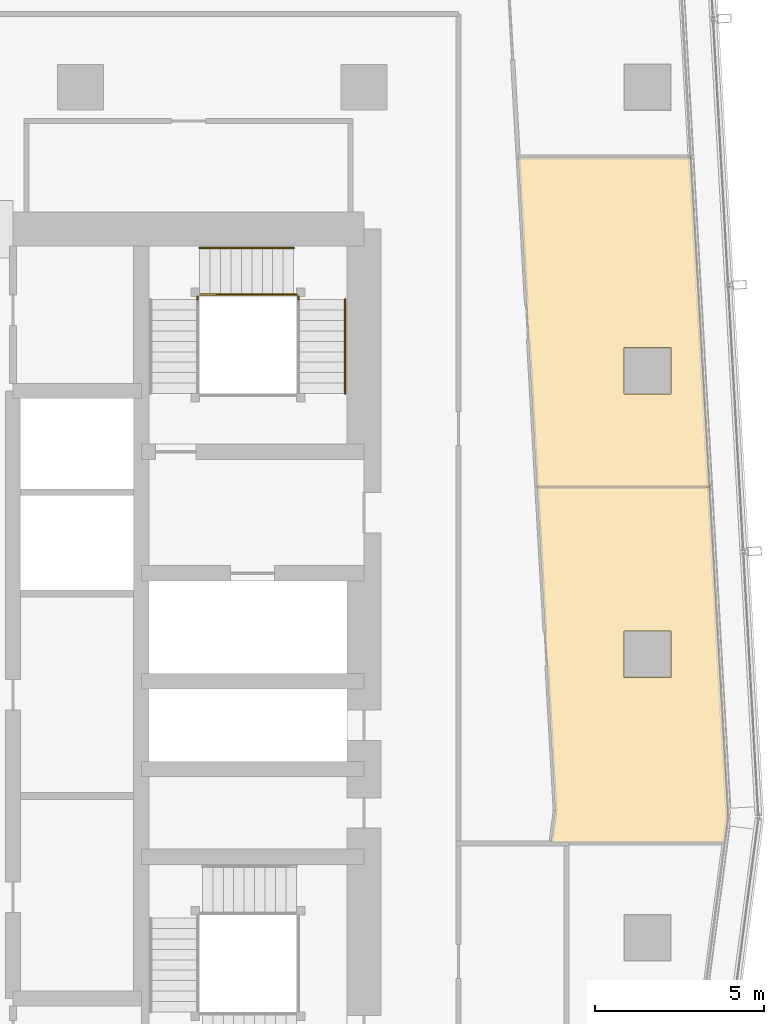
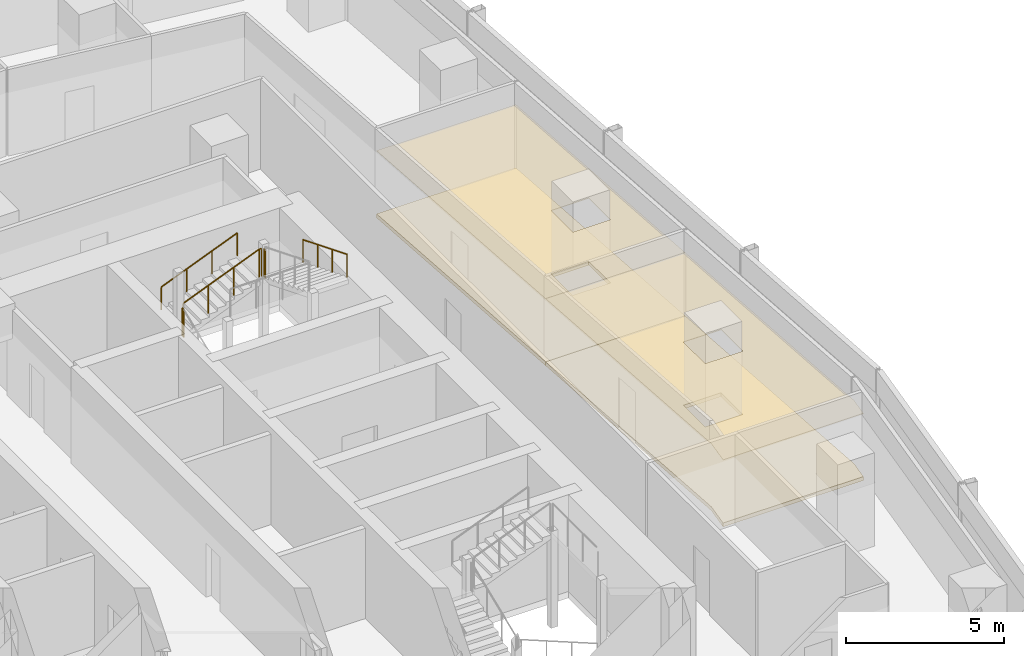
# One storey, part 37 of 38: 6 railings, 4 coverings.
"""IFC4 building model written with IfcOpenShell, lengths in metres."""

import ifcopenshell
import ifcopenshell.guid

model = None  # the IFC model being written
_history = None  # IfcOwnerHistory: only IFC2X3 demands one
_inside = {}  # id of a spatial element -> (the spatial element, [elements in it])
_under = {}  # id of a project, library or spatial element -> (it, [spatial elements below it])
_declared = {}  # id of a project -> (the project, [libraries it declares])
_typed = {}  # id of a type object -> (the type object, [elements of that type])
_made_of = {}  # id of a material, layer set ... -> (it, [elements and type objects made of it])


def new_model(schema):
    """Start an empty IFC model of exactly this schema.

    Asked for "IFC4X3", IfcOpenShell would pick the latest addendum, in which some entities
    have other attributes; the version numbers below select the first issue.
    IFC2X3 requires an IfcOwnerHistory on every rooted entity: one is made here for all.
    """
    global model, _history
    if schema == "IFC4X3":
        model = ifcopenshell.file(schema_version=(4, 3, 0, 0))
    else:
        model = ifcopenshell.file(schema=schema)
    _inside.clear()
    _under.clear()
    _declared.clear()
    _typed.clear()
    _made_of.clear()
    _history = None
    if model.schema == "IFC2X3":
        org = make("IfcOrganization", Name="unknown")
        user = make(
            "IfcPersonAndOrganization",
            ThePerson=make("IfcPerson", FamilyName="unknown"),
            TheOrganization=org,
        )
        app = make(
            "IfcApplication",
            ApplicationDeveloper=org,
            Version="unknown",
            ApplicationFullName="unknown",
            ApplicationIdentifier="unknown",
        )
        _history = make(
            "IfcOwnerHistory",
            OwningUser=user,
            OwningApplication=app,
            ChangeAction="ADDED",
            CreationDate=0,
        )
    return model


def make(cls, **values):
    """One entity of the class cls with the attributes given. An attribute that is None is left unset."""
    return model.create_entity(
        cls, **{name: value for name, value in values.items() if value is not None}
    )


def rooted(cls, **values):
    """An entity with a GlobalId (a new one), such as an element, a storey or a relation."""
    return make(cls, GlobalId=ifcopenshell.guid.new(), OwnerHistory=_history, **values)


def si_unit(unit_type, name, prefix=None):
    """IfcSIUnit, for example si_unit("LENGTHUNIT", "METRE", prefix="MILLI")."""
    return make("IfcSIUnit", UnitType=unit_type, Prefix=prefix, Name=name)


def assignment(units):
    """IfcUnitAssignment: the units of a project."""
    return None if units is None else make("IfcUnitAssignment", Units=units)


def point(xyz):
    """IfcCartesianPoint."""
    return None if xyz is None else make("IfcCartesianPoint", Coordinates=xyz)


def direction(xyz):
    """IfcDirection."""
    return None if xyz is None else make("IfcDirection", DirectionRatios=xyz)


def frame(location, z_axis=None, x_axis=None):
    """IfcAxis2Placement3D, a coordinate frame: its origin and axes. An axis left out is left unset."""
    return make(
        "IfcAxis2Placement3D",
        Location=point(location),
        Axis=direction(z_axis),
        RefDirection=direction(x_axis),
    )


def frame_2d(location, x_axis=None):
    """IfcAxis2Placement2D, a coordinate frame in the plane: its origin and x axis."""
    return make(
        "IfcAxis2Placement2D", Location=point(location), RefDirection=direction(x_axis)
    )


def origin():
    """The frame at (0, 0, 0) with its axes left unset."""
    return frame((0.0, 0.0, 0.0))


def origin_2d():
    """The frame at (0, 0) in the plane with its x axis left unset."""
    return frame_2d((0.0, 0.0))


def place(relative_to, where):
    """IfcLocalPlacement: puts the frame where relative to a parent placement (None: the world)."""
    return make(
        "IfcLocalPlacement", PlacementRelTo=relative_to, RelativePlacement=where
    )


def context(
    kind, dimensions, precision=None, world=None, true_north=None, identifier=None
):
    """IfcGeometricRepresentationContext, for example the 3D "Model" context."""
    return make(
        "IfcGeometricRepresentationContext",
        ContextIdentifier=identifier,
        ContextType=kind,
        CoordinateSpaceDimension=dimensions,
        Precision=precision,
        WorldCoordinateSystem=world,
        TrueNorth=true_north,
    )


def subcontext(parent, identifier, kind, view, scale=None):
    """IfcGeometricRepresentationSubContext, for example "Body" below "Model"."""
    return make(
        "IfcGeometricRepresentationSubContext",
        ContextIdentifier=identifier,
        ContextType=kind,
        ParentContext=parent,
        TargetScale=scale,
        TargetView=view,
    )


def project(units=None, contexts=None):
    """IfcProject with its units and contexts."""
    return rooted(
        "IfcProject",
        Name="project",
        RepresentationContexts=contexts,
        UnitsInContext=assignment(units),
    )


def spatial(cls, under=None, at=None, **own):
    """A site, building, storey or space (cls), placed at a placement, below another one or the project."""
    s = rooted(cls, ObjectPlacement=at, **own)
    if under is not None:
        _under.setdefault(under.id(), (under, []))[1].append(s)
    return s


def polyline(points):
    """IfcPolyline through the points."""
    return make("IfcPolyline", Points=[point(p) for p in points])


def profile(cls, at=None, kind="AREA", **sizes):
    """A parametric profile (cls). Its sizes go by their IFC names, for example OverallWidth=200.0."""
    return make(cls, ProfileType=kind, Position=at, **sizes)


def circle(**sizes):
    """IfcCircleProfileDef."""
    return profile("IfcCircleProfileDef", **sizes)


def outline(outer, holes=None, kind="AREA"):
    """IfcArbitraryClosedProfileDef: a profile drawn as a closed curve; with holes, ...WithVoids."""
    if holes is None:
        return make("IfcArbitraryClosedProfileDef", ProfileType=kind, OuterCurve=outer)
    return make(
        "IfcArbitraryProfileDefWithVoids",
        ProfileType=kind,
        OuterCurve=outer,
        InnerCurves=holes,
    )


def extrude(swept, where, along, depth):
    """IfcExtrudedAreaSolid: the profile swept, set in the frame where, extruded along a direction by depth."""
    return make(
        "IfcExtrudedAreaSolid",
        SweptArea=swept,
        Position=where,
        ExtrudedDirection=direction(along),
        Depth=depth,
    )


def shape(context_of_items, identifier, shape_type, items):
    """IfcShapeRepresentation: the items that make up one representation, for example the "Body"."""
    return make(
        "IfcShapeRepresentation",
        ContextOfItems=context_of_items,
        RepresentationIdentifier=identifier,
        RepresentationType=shape_type,
        Items=items,
    )


def material(Name=None, Category=None):
    """IfcMaterial."""
    return make("IfcMaterial", Name=Name, Category=Category)


def layer(
    of_material, thickness, ventilated=None, Name=None, Category=None, Priority=None
):
    """IfcMaterialLayer: one layer of a wall or slab, of a material (None: an air gap)."""
    return make(
        "IfcMaterialLayer",
        Material=of_material,
        LayerThickness=thickness,
        IsVentilated=ventilated,
        Name=Name,
        Category=Category,
        Priority=Priority,
    )


def layer_set(layers, Name=None):
    """IfcMaterialLayerSet."""
    return make("IfcMaterialLayerSet", MaterialLayers=layers, LayerSetName=Name)


def made_of(thing, what):
    """Note that an element or type object is made of a material, layer set ...; save() writes the relation."""
    if what is not None:
        _made_of.setdefault(what.id(), (what, []))[1].append(thing)
    return thing


def type_object(cls, material=None, **own):
    """A type object (cls), such as IfcWallType, which elements share."""
    return made_of(rooted(cls, **own), material)


def element(
    cls,
    number,
    at=None,
    inside=None,
    cuts=None,
    type_object=None,
    material=None,
    context=None,
    identifier="Body",
    shape_type=None,
    held_by="IfcProductDefinitionShape",
    body=None,
    shapes=None,
    **own,
):
    """One element of the class cls, such as IfcWall. Its Tag is "e" and its number.

    at: its placement. inside: the storey or other place that contains it. cuts: it is an
    opening in that element (IfcRelVoidsElement). A single representation is given by context,
    identifier, shape_type and body (its items); several are given by shapes. held_by: the class
    of the entity that holds the representations. save() writes the other relations.
    """
    e = rooted(cls, Tag="e%d" % number, ObjectPlacement=at, **own)
    if body is not None:
        shapes = [shape(context, identifier, shape_type, body)]
    if shapes is not None:
        e.Representation = make(held_by, Representations=shapes)
    if inside is not None:
        _inside.setdefault(inside.id(), (inside, []))[1].append(e)
    if cuts is not None:
        rooted(
            "IfcRelVoidsElement", RelatingBuildingElement=cuts, RelatedOpeningElement=e
        )
    if type_object is not None:
        _typed.setdefault(type_object.id(), (type_object, []))[1].append(e)
    return made_of(e, material)


def aggregate(whole, parts):
    """IfcRelAggregates: a whole, such as a stair, and the parts it consists of."""
    return rooted("IfcRelAggregates", RelatingObject=whole, RelatedObjects=parts)


def save(model, path):
    """Write the relations noted so far, then the file.

    IfcRelAggregates (storeys below a building ...), IfcRelContainedInSpatialStructure (elements
    in a storey), IfcRelDefinesByType, IfcRelAssociatesMaterial and IfcRelDeclares: one each for
    every whole, place, type object, material and project.
    """
    for whole, parts in _under.values():
        aggregate(whole, parts)
    for where, things in _inside.values():
        rooted(
            "IfcRelContainedInSpatialStructure",
            RelatedElements=things,
            RelatingStructure=where,
        )
    for kind, things in _typed.values():
        rooted("IfcRelDefinesByType", RelatedObjects=things, RelatingType=kind)
    for what, things in _made_of.values():
        rooted("IfcRelAssociatesMaterial", RelatedObjects=things, RelatingMaterial=what)
    for by, libraries in _declared.values():
        rooted("IfcRelDeclares", RelatingContext=by, RelatedDefinitions=libraries)
    model.write(path)


model = new_model("IFC4")

# Units and contexts
model_context = context("Model", 3, precision=1e-05, world=origin(), true_north=direction((0.0, 1.0)))
body_context = subcontext(model_context, "Body", "Model", "MODEL_VIEW")
ifc_project = project(units=[si_unit("LENGTHUNIT", "METRE"), si_unit("AREAUNIT", "SQUARE_METRE"), si_unit("VOLUMEUNIT", "CUBIC_METRE"), si_unit("PLANEANGLEUNIT", "RADIAN"), si_unit("MASSUNIT", "GRAM", prefix="KILO")], contexts=[model_context])

# Site, building, storey
site_placement = place(None, origin())
site = spatial("IfcSite", under=ifc_project, at=site_placement, CompositionType="ELEMENT")
building_placement = place(site_placement, origin())
building = spatial("IfcBuilding", under=site, at=building_placement, Name="Rekha Terrace Tower", CompositionType="ELEMENT")
storey_placement = place(building_placement, frame((0.0, 0.0, 195.199951171875)))
storey = spatial("IfcBuildingStorey", under=building, at=storey_placement, Name="L49", CompositionType="ELEMENT", Elevation=195.199951171875)

# Coverings
ifc_material_1 = material(Name="Mineral fibre tile in exposed grid", Category="finish")
ifc_layer_1 = layer(ifc_material_1, 0.02001953125)
ifc_layer_set_1 = layer_set([ifc_layer_1], Name="Mineral fibre tile in exposed grid")
covering_type_1 = type_object("IfcCoveringType", Name="CL1 600x1200 office grid ceiling", PredefinedType="CEILING", material=ifc_layer_set_1)
covering_1_placement = place(storey_placement, frame((0.0, 0.0, 2.580078125)))
element("IfcCovering", 1, at=covering_1_placement, inside=storey, type_object=covering_type_1, Name="Ceiling L49-05", PredefinedType="CEILING", context=body_context, shape_type="SweptSolid", body=[
    extrude(outline(polyline([(55.52294921875, 38.554931640625), (56.06689453125, 28.971923828125), (55.93994140625, 28.013916015625), (61.083984375, 28.013916015625), (61.18603515625, 28.780029296875), (60.631103515625, 38.554931640625), (55.52294921875, 38.554931640625)]), holes=[polyline([(59.489990234375, 34.2900390625), (59.489990234375, 32.909912109375), (58.110107421875, 32.909912109375), (58.110107421875, 34.2900390625), (59.489990234375, 34.2900390625)])]), origin(), (0.0, 0.0, 1.0), 0.02001953125),
])
covering_2_placement = place(storey_placement, frame((0.0, 0.0, 2.580078125)))
element("IfcCovering", 2, at=covering_2_placement, inside=storey, type_object=covering_type_1, Name="Ceiling L49-06", PredefinedType="CEILING", context=body_context, shape_type="SweptSolid", body=[
    extrude(outline(polyline([(55.52294921875, 38.555908203125), (60.631103515625, 38.555908203125), (60.075927734375, 48.3310546875), (54.968017578125, 48.3310546875), (55.52294921875, 38.555908203125)]), holes=[polyline([(59.489990234375, 41.31005859375), (58.110107421875, 41.31005859375), (58.110107421875, 42.68994140625), (59.489990234375, 42.68994140625), (59.489990234375, 41.31005859375)])]), origin(), (0.0, 0.0, 1.0), 0.02001953125),
])

# Railings
ifc_material_2 = material(Name="Stainless steel balustrade", Category="steel")
railing_type_1 = type_object("IfcRailingType", Name="GR1 1100 stair guard", PredefinedType="GUARDRAIL", material=ifc_material_2)
railing_1_placement = place(storey_placement, frame((45.52490234375, 44.260009765625, 1.375)))
element("IfcRailing", 3, at=railing_1_placement, inside=storey, type_object=railing_type_1, Name="Guard ST2 L49 flight 2", PredefinedType="GUARDRAIL", context=body_context, shape_type="SweptSolid", body=[
    extrude(circle(Radius=0.02392578125, at=origin_2d()), frame((0.0, 0.0, 1.076171875), z_axis=(0.927443287984, 0.0, 0.373963831907), x_axis=(0.0, 1.0, 0.0)), (0.0, 0.0, 1.0), 3.00830078125),
    extrude(circle(Radius=0.02099609375, at=origin_2d()), origin(), (0.0, 0.0, 1.0), 1.052001953125),
    extrude(circle(Radius=0.02099609375, at=origin_2d()), frame((0.929931640625, 0.0, 0.375)), (0.0, 0.0, 1.0), 1.052001953125),
    extrude(circle(Radius=0.02099609375, at=origin_2d()), frame((1.860107421875, 0.0, 0.75)), (0.0, 0.0, 1.0), 1.052001953125),
    extrude(circle(Radius=0.02099609375, at=origin_2d()), frame((2.7900390625, 0.0, 1.125)), (0.0, 0.0, 1.0), 1.052001953125),
])
railing_2_placement = place(storey_placement, frame((45.465087890625, 44.114990234375, 1.25)))
element("IfcRailing", 4, at=railing_2_placement, inside=storey, type_object=railing_type_1, Name="Guard ST2 L49 landing 1", PredefinedType="GUARDRAIL", context=body_context, shape_type="SweptSolid", body=[
    extrude(circle(Radius=0.02392578125, at=origin_2d()), frame((0.0, 0.0, 1.076171875), z_axis=(0.0, 1.0, 0.0), x_axis=(-1.0, 0.0, 0.0)), (0.0, 0.0, 1.0), 0.0849609375),
    extrude(circle(Radius=0.02099609375, at=origin_2d()), origin(), (0.0, 0.0, 1.0), 1.052001953125),
    extrude(circle(Radius=0.02099609375, at=origin_2d()), frame((0.0, 0.0849609375, 0.0)), (0.0, 0.0, 1.0), 1.052001953125),
])
railing_3_placement = place(storey_placement, frame((48.31494140625, 44.260009765625, 2.5)))
element("IfcRailing", 5, at=railing_3_placement, inside=storey, type_object=railing_type_1, Name="Guard ST2 L49 landing 2", PredefinedType="GUARDRAIL", context=body_context, shape_type="SweptSolid", body=[
    extrude(circle(Radius=0.02392578125, at=origin_2d()), frame((0.0, 0.0, 1.076171875), z_axis=(1.0, 0.0, 0.0), x_axis=(0.0, 1.0, 0.0)), (0.0, 0.0, 1.0), 0.0849609375),
    extrude(circle(Radius=0.02099609375, at=origin_2d()), origin(), (0.0, 0.0, 1.0), 1.052001953125),
    extrude(circle(Radius=0.02099609375, at=origin_2d()), frame((0.0849609375, 0.0, 0.0)), (0.0, 0.0, 1.0), 1.052001953125),
])
railing_4_placement = place(storey_placement, frame((48.4599609375, 44.114990234375, 2.5)))
element("IfcRailing", 6, at=railing_4_placement, inside=storey, type_object=railing_type_1, Name="Guard ST2 L49 landing 3", PredefinedType="GUARDRAIL", context=body_context, shape_type="SweptSolid", body=[
    extrude(circle(Radius=0.02392578125, at=origin_2d()), frame((0.0, 0.0, 1.076171875), z_axis=(0.0, 1.0, 0.0), x_axis=(-1.0, 0.0, 0.0)), (0.0, 0.0, 1.0), 0.0849609375),
    extrude(circle(Radius=0.02099609375, at=origin_2d()), origin(), (0.0, 0.0, 1.0), 1.052001953125),
    extrude(circle(Radius=0.02099609375, at=origin_2d()), frame((0.0, 0.0849609375, 0.0)), (0.0, 0.0, 1.0), 1.052001953125),
])
ifc_material_3 = material(Name="Stainless steel tube", Category="steel")
railing_type_2 = type_object("IfcRailingType", Name="HR1 900 stair handrail", PredefinedType="HANDRAIL", material=ifc_material_3)
railing_5_placement = place(storey_placement, frame((45.52490234375, 45.639892578125, 1.375)))
element("IfcRailing", 7, at=railing_5_placement, inside=storey, type_object=railing_type_2, Name="Handrail ST2 L49 flight 2", PredefinedType="HANDRAIL", context=body_context, shape_type="SweptSolid", body=[
    extrude(circle(Radius=0.02392578125, at=origin_2d()), frame((0.0, 0.0, 0.8759765625), z_axis=(0.927443287984, 0.0, 0.373963831907), x_axis=(0.0, 1.0, 0.0)), (0.0, 0.0, 1.0), 3.00830078125),
    extrude(circle(Radius=0.02099609375, at=origin_2d()), origin(), (0.0, 0.0, 1.0), 0.851806640625),
    extrude(circle(Radius=0.02099609375, at=origin_2d()), frame((0.929931640625, 0.0, 0.375)), (0.0, 0.0, 1.0), 0.851806640625),
    extrude(circle(Radius=0.02099609375, at=origin_2d()), frame((1.860107421875, 0.0, 0.75)), (0.0, 0.0, 1.0), 0.851806640625),
    extrude(circle(Radius=0.02099609375, at=origin_2d()), frame((2.7900390625, 0.0, 1.125)), (0.0, 0.0, 1.0), 0.851806640625),
])
railing_6_placement = place(storey_placement, frame((49.840087890625, 44.114990234375, 2.625)))
element("IfcRailing", 8, at=railing_6_placement, inside=storey, type_object=railing_type_2, Name="Handrail ST2 L49 flight 3", PredefinedType="HANDRAIL", context=body_context, shape_type="SweptSolid", body=[
    extrude(circle(Radius=0.02392578125, at=origin_2d()), frame((0.0, 0.0, 0.8759765625), z_axis=(0.0, -0.927443287984, 0.373963831907), x_axis=(1.0, 0.0, 0.0)), (0.0, 0.0, 1.0), 3.00830078125),
    extrude(circle(Radius=0.02099609375, at=origin_2d()), origin(), (0.0, 0.0, 1.0), 0.851806640625),
    extrude(circle(Radius=0.02099609375, at=origin_2d()), frame((0.0, -0.929931640625, 0.375)), (0.0, 0.0, 1.0), 0.851806640625),
    extrude(circle(Radius=0.02099609375, at=origin_2d()), frame((0.0, -1.860107421875, 0.75)), (0.0, 0.0, 1.0), 0.851806640625),
    extrude(circle(Radius=0.02099609375, at=origin_2d()), frame((0.0, -2.7900390625, 1.125)), (0.0, 0.0, 1.0), 0.851806640625),
])

# Coverings
ifc_material_4 = material(Name="Calcium sulphate panels on steel pedestals", Category="steel")
ifc_layer_2 = layer(ifc_material_4, 0.14990234375)
ifc_layer_set_2 = layer_set([ifc_layer_2], Name="Calcium sulphate panels on steel pedestals")
covering_type_2 = type_object("IfcCoveringType", Name="RF1 150 raised access floor", PredefinedType="FLOORING", material=ifc_layer_set_2)
covering_3_placement = place(storey_placement, origin())
element("IfcCovering", 9, at=covering_3_placement, inside=storey, type_object=covering_type_2, Name="Raised floor L49-05", PredefinedType="FLOORING", context=body_context, shape_type="SweptSolid", body=[
    extrude(outline(polyline([(55.52294921875, 38.554931640625), (56.06689453125, 28.971923828125), (55.93994140625, 28.013916015625), (61.083984375, 28.013916015625), (61.18603515625, 28.780029296875), (60.631103515625, 38.554931640625), (55.52294921875, 38.554931640625)]), holes=[polyline([(59.489990234375, 34.2900390625), (59.489990234375, 32.909912109375), (58.110107421875, 32.909912109375), (58.110107421875, 34.2900390625), (59.489990234375, 34.2900390625)])]), origin(), (0.0, 0.0, 1.0), 0.150146484375),
])
covering_4_placement = place(storey_placement, origin())
element("IfcCovering", 10, at=covering_4_placement, inside=storey, type_object=covering_type_2, Name="Raised floor L49-06", PredefinedType="FLOORING", context=body_context, shape_type="SweptSolid", body=[
    extrude(outline(polyline([(55.52294921875, 38.555908203125), (60.631103515625, 38.555908203125), (60.075927734375, 48.3310546875), (54.968017578125, 48.3310546875), (55.52294921875, 38.555908203125)]), holes=[polyline([(59.489990234375, 41.31005859375), (58.110107421875, 41.31005859375), (58.110107421875, 42.68994140625), (59.489990234375, 42.68994140625), (59.489990234375, 41.31005859375)])]), origin(), (0.0, 0.0, 1.0), 0.150146484375),
])

save(model, "model.ifc")
